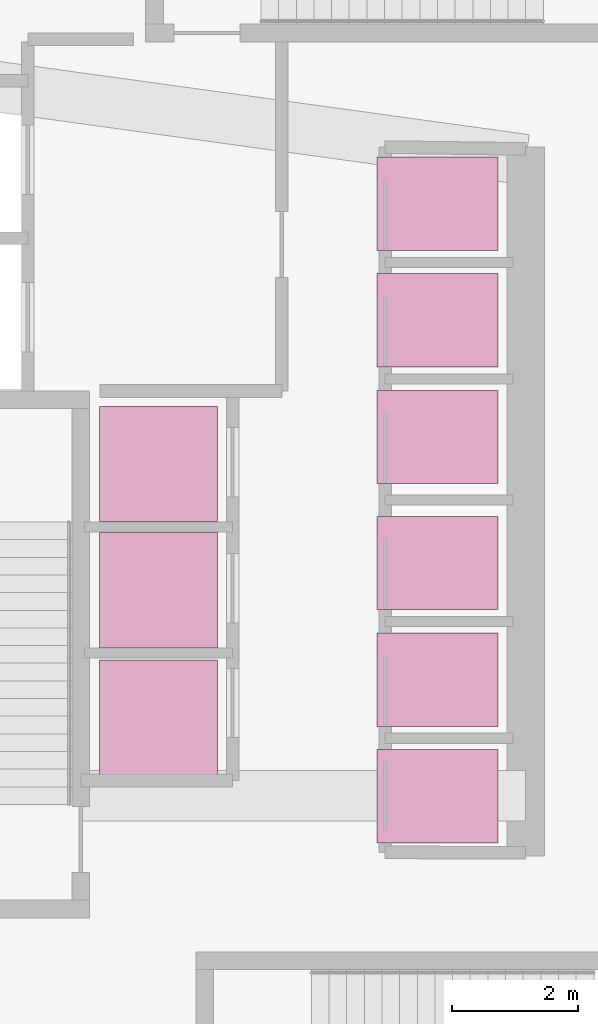
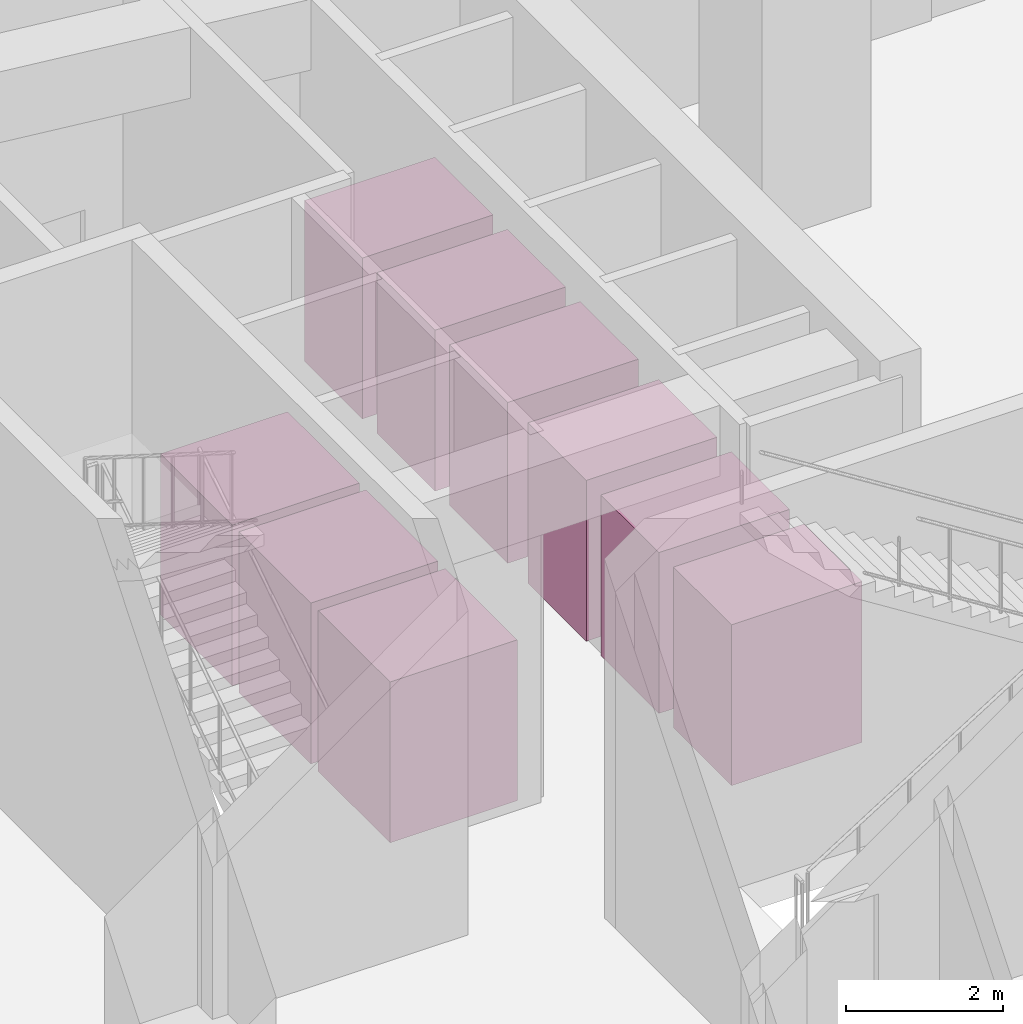
# One storey, part 28 of 28: 9 transport elements.
"""IFC4 building model written with IfcOpenShell, lengths in metres."""

from ifc_helpers import new_model, si_unit, direction, frame, origin, origin_2d, place, context, subcontext, project, spatial, rectangle, extrude, material, type_object, element, save


model = new_model("IFC4")

# Units and contexts
model_context = context("Model", 3, precision=1e-05, world=origin(), true_north=direction((0.0, 1.0)))
body_context = subcontext(model_context, "Body", "Model", "MODEL_VIEW")
ifc_project = project(units=[si_unit("LENGTHUNIT", "METRE"), si_unit("AREAUNIT", "SQUARE_METRE"), si_unit("VOLUMEUNIT", "CUBIC_METRE"), si_unit("PLANEANGLEUNIT", "RADIAN"), si_unit("MASSUNIT", "GRAM", prefix="KILO"), si_unit("THERMODYNAMICTEMPERATUREUNIT", "KELVIN"), si_unit("POWERUNIT", "WATT")], contexts=[model_context])

# Site, building, storey
site_placement = place(None, origin())
site = spatial("IfcSite", under=ifc_project, at=site_placement, CompositionType="ELEMENT")
building_placement = place(site_placement, origin())
building = spatial("IfcBuilding", under=site, at=building_placement, Name="Skarre Station Tower", CompositionType="ELEMENT")
storey_placement = place(building_placement, origin())
storey = spatial("IfcBuildingStorey", under=building, at=storey_placement, Name="L01", CompositionType="ELEMENT", Elevation=0.0)

# Transport elements
ifc_material = material(Name="Stainless Steel & Laminated Glass Cab", Category="steel")
transport_element_type = type_object("IfcTransportElementType", Name="High-Speed Gearless Passenger Elevator 1600 kg", PredefinedType="ELEVATOR", material=ifc_material)
for number, where, z_axis, x_axis, name in (
    (1, (26.14990234375, 19.25, 0.0), (0.0, 0.0, 1.0), (1.0, 0.0, 0.0), "Low-Zone Passenger Elevator LF-P1"),
    (2, (26.14990234375, 21.10009765625, 0.0), (0.0, 0.0, 1.0), (1.0, 0.0, 0.0), "Low-Zone Passenger Elevator LF-P2"),
    (3, (26.14990234375, 22.949951171875, 0.0), (0.0, 0.0, 1.0), (1.0, 0.0, 0.0), "Low-Zone Passenger Elevator LF-P3"),
    (4, (26.14990234375, 24.949951171875, 0.0), (0.0, 0.0, 1.0), (1.0, 0.0, 0.0), "Mid-Zone Passenger Elevator LF-P4"),
    (5, (26.14990234375, 26.800048828125, 0.0), (0.0, 0.0, 1.0), (1.0, 0.0, 0.0), "Mid-Zone Passenger Elevator LF-P5"),
    (6, (26.14990234375, 28.64990234375, 0.0), (0.0, 0.0, 1.0), (1.0, 0.0, 0.0), "Mid-Zone Passenger Elevator LF-P6"),
):
    element("IfcTransportElement", number, at=place(storey_placement, frame(where, z_axis=z_axis, x_axis=x_axis)), inside=storey, type_object=transport_element_type, Name=name, PredefinedType="ELEVATOR", context=body_context, shape_type="SweptSolid", body=[
        extrude(rectangle(XDim=1.919921875, YDim=1.47998046875, at=origin_2d()), origin(), (0.0, 0.0, 1.0), 2.5),
    ])
for number, where, z_axis, x_axis, name in (
    (7, (21.72509765625, 20.5, 0.0), (0.0, 0.0, 1.0), (1.0, 0.0, 0.0), "High-Zone Passenger Elevator LF-P7"),
    (8, (21.72509765625, 22.52001953125, 0.0), (0.0, 0.0, 1.0), (1.0, 0.0, 0.0), "High-Zone Passenger Elevator LF-P8"),
    (9, (21.72509765625, 24.52001953125, 0.0), (0.0, 0.0, 1.0), (1.0, 0.0, 0.0), "High-Zone Passenger Elevator LF-P9"),
):
    element("IfcTransportElement", number, at=place(storey_placement, frame(where, z_axis=z_axis, x_axis=x_axis)), inside=storey, type_object=transport_element_type, Name=name, PredefinedType="ELEVATOR", context=body_context, shape_type="SweptSolid", body=[
        extrude(rectangle(XDim=1.8701171875, YDim=1.830078125, at=origin_2d()), origin(), (0.0, 0.0, 1.0), 2.5),
    ])

save(model, "model.ifc")
